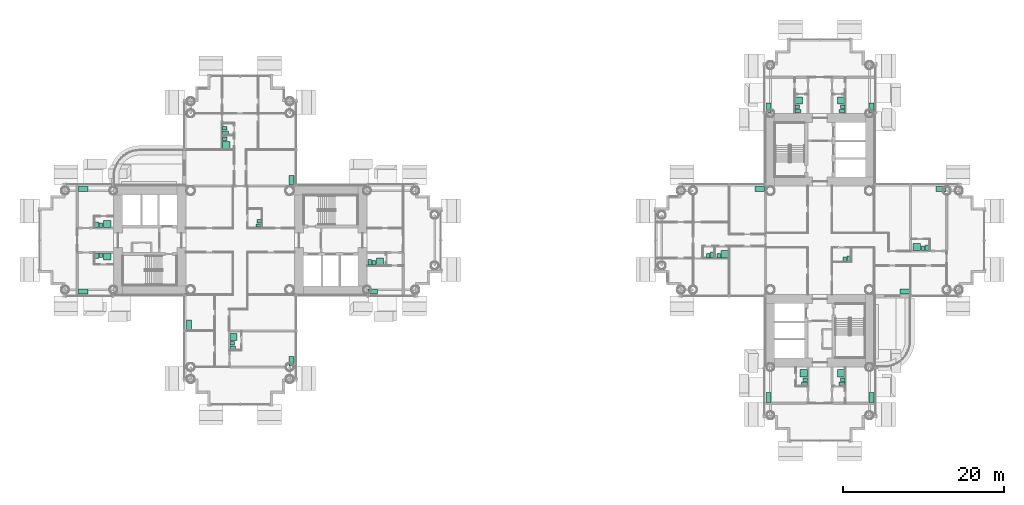
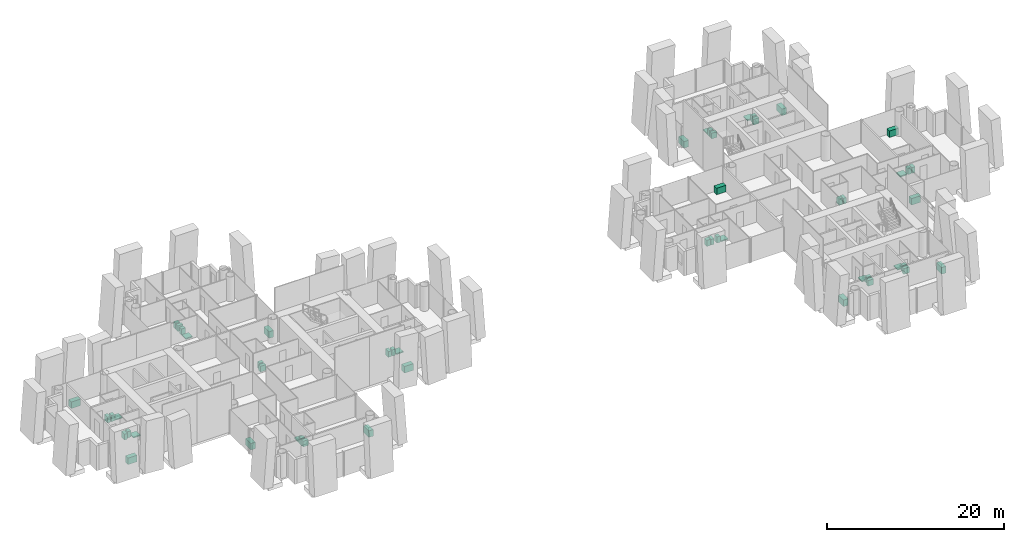
# One storey, part 25 of 25: 52 sanitary terminals.
"""IFC4 building model written with IfcOpenShell, lengths in metres."""

from ifc_helpers import new_model, si_unit, direction, frame, origin, origin_2d, place, context, subcontext, project, spatial, rectangle, extrude, material, type_object, element, save


model = new_model("IFC4")

# Units and contexts
model_context = context("Model", 3, precision=1e-05, world=origin(), true_north=direction((0.0, 1.0)))
body_context = subcontext(model_context, "Body", "Model", "MODEL_VIEW")
ifc_project = project(units=[si_unit("LENGTHUNIT", "METRE"), si_unit("AREAUNIT", "SQUARE_METRE"), si_unit("VOLUMEUNIT", "CUBIC_METRE"), si_unit("PLANEANGLEUNIT", "RADIAN"), si_unit("MASSUNIT", "GRAM", prefix="KILO")], contexts=[model_context])

# Site, building, storey
site_placement = place(None, origin())
site = spatial("IfcSite", under=ifc_project, at=site_placement, CompositionType="ELEMENT")
building_placement = place(site_placement, origin())
building = spatial("IfcBuilding", under=site, at=building_placement, Name="Ipe Terrace Towers", CompositionType="ELEMENT")
storey_placement = place(building_placement, frame((0.0, 0.0, 31.300048828125)))
storey = spatial("IfcBuildingStorey", under=building, at=storey_placement, Name="L07", CompositionType="ELEMENT", Elevation=31.300048828125)

# Sanitary terminals
ifc_material_1 = material(Name="Stainless sink unit", Category="metal")
sanitary_terminal_type_1 = type_object("IfcSanitaryTerminalType", Name="Kitchen sink unit", PredefinedType="SINK", material=ifc_material_1)
for number, where, z_axis, x_axis, name in (
    (1, (-29.6201171875, 7.469970703125, 0.0), (0.0, 0.0, 1.0), (0.0, -1.0, 0.0), "Kitchen sink unit"),
    (2, (-29.6201171875, -15.030029296875, 0.0), (0.0, 0.0, 1.0), (0.0, -1.0, 0.0), "Kitchen sink unit"),
    (3, (-42.3798828125, -10.530029296875, 0.0), (0.0, 0.0, 1.0), (0.0, 1.0, 0.0), "Kitchen sink unit"),
    (4, (-19.530029296875, -6.3798828125, 0.0), (0.0, 0.0, 1.0), (-1.0, 0.0, 0.0), "Kitchen sink unit"),
    (5, (-55.530029296875, -6.3798828125, 0.0), (0.0, 0.0, 1.0), (-1.0, 0.0, 0.0), "Kitchen sink unit"),
    (6, (-55.530029296875, 6.3798828125, 0.0), (0.0, 0.0, 1.0), (1.0, 0.0, 0.0), "Kitchen sink unit"),
    (7, (28.530029296875, 6.3798828125, 0.0), (0.0, 0.0, 1.0), (1.0, 0.0, 0.0), "Kitchen sink unit"),
    (8, (51.030029296875, 6.3798828125, 0.0), (0.0, 0.0, 1.0), (1.0, 0.0, 0.0), "Kitchen sink unit"),
    (9, (46.530029296875, -6.3798828125, 0.0), (0.0, 0.0, 1.0), (-1.0, 0.0, 0.0), "Kitchen sink unit"),
    (10, (29.6201171875, 16.469970703125, 0.0), (0.0, 0.0, 1.0), (0.0, 1.0, 0.0), "Kitchen sink unit"),
    (11, (42.3798828125, 16.469970703125, 0.0), (0.0, 0.0, 1.0), (0.0, -1.0, 0.0), "Kitchen sink unit"),
    (12, (42.3798828125, -19.530029296875, 0.0), (0.0, 0.0, 1.0), (0.0, -1.0, 0.0), "Kitchen sink unit"),
    (13, (29.6201171875, -19.530029296875, 0.0), (0.0, 0.0, 1.0), (0.0, 1.0, 0.0), "Kitchen sink unit"),
):
    element("IfcSanitaryTerminal", number, at=place(storey_placement, frame(where, z_axis=z_axis, x_axis=x_axis)), inside=storey, type_object=sanitary_terminal_type_1, Name=name, PredefinedType="SINK", context=body_context, shape_type="SweptSolid", body=[
        extrude(rectangle(XDim=1.199951171875, YDim=0.60009765625, at=origin_2d()), origin(), (0.0, 0.0, 1.0), 0.89990234375),
    ])
ifc_material_2 = material(Name="Acrylic", Category="plastic")
sanitary_terminal_type_2 = type_object("IfcSanitaryTerminalType", Name="Shower tray", PredefinedType="SHOWER", material=ifc_material_2)
for number, where, z_axis, x_axis, name in (
    (14, (-37.72998046875, 11.820068359375, 0.0), (0.0, 0.0, 1.0), (1.0, 0.0, 0.0), "Shower tray"),
    (15, (-36.830078125, -12.030029296875, 0.0), (0.0, 0.0, 1.0), (1.0, 0.0, 0.0), "Shower tray"),
    (16, (-18.6298828125, -2.6298828125, 0.0), (0.0, 0.0, 1.0), (0.0, 1.0, 0.0), "Shower tray"),
    (17, (-52.530029296875, -2.02001953125, 0.0), (0.0, 0.0, 1.0), (0.0, -1.0, 0.0), "Shower tray"),
    (18, (-52.530029296875, 2.02001953125, 0.0), (0.0, 0.0, 1.0), (0.0, 1.0, 0.0), "Shower tray"),
    (19, (24.179931640625, -1.72998046875, 0.0), (0.0, 0.0, 1.0), (0.0, 1.0, 0.0), "Shower tray"),
    (20, (48.030029296875, -0.830078125, 0.0), (0.0, 0.0, 1.0), (0.0, 1.0, 0.0), "Shower tray"),
    (21, (33.3701171875, 17.3701171875, 0.0), (0.0, 0.0, 1.0), (1.0, 0.0, 0.0), "Shower tray"),
    (22, (38.6298828125, 17.3701171875, 0.0), (0.0, 0.0, 1.0), (-1.0, 0.0, 0.0), "Shower tray"),
    (23, (38.6298828125, -16.530029296875, 0.0), (0.0, 0.0, 1.0), (-1.0, 0.0, 0.0), "Shower tray"),
    (24, (33.97998046875, -16.530029296875, 0.0), (0.0, 0.0, 1.0), (-1.0, 0.0, 0.0), "Shower tray"),
):
    element("IfcSanitaryTerminal", number, at=place(storey_placement, frame(where, z_axis=z_axis, x_axis=x_axis)), inside=storey, type_object=sanitary_terminal_type_2, Name=name, PredefinedType="SHOWER", context=body_context, shape_type="SweptSolid", body=[
        extrude(rectangle(XDim=0.89990234375, YDim=0.89990234375, at=origin_2d()), origin(), (0.0, 0.0, 1.0), 0.14990234375),
    ])
ifc_material_3 = material(Name="Vitreous china", Category="ceramic")
sanitary_terminal_type_3 = type_object("IfcSanitaryTerminalType", Name="Wash basin", PredefinedType="WASHHANDBASIN", material=ifc_material_3)
for number, where, z_axis, x_axis, name in (
    (25, (-33.64501953125, 2.344970703125, 0.0), (0.0, 0.0, 1.0), (-1.0, 0.0, 0.0), "Wash basin"),
    (26, (-37.905029296875, 12.594970703125, 0.0), (0.0, 0.0, 1.0), (1.0, 0.0, 0.0), "Wash basin"),
    (27, (-37.905029296875, 13.89501953125, 0.0), (0.0, 0.0, 1.0), (1.0, 0.0, 0.0), "Wash basin"),
    (28, (-37.0048828125, -12.804931640625, 0.0), (0.0, 0.0, 1.0), (1.0, 0.0, 0.0), "Wash basin"),
    (29, (-19.405029296875, -2.804931640625, 0.0), (0.0, 0.0, 1.0), (0.0, 1.0, 0.0), "Wash basin"),
    (30, (-53.304931640625, -1.844970703125, 0.0), (0.0, 0.0, 1.0), (0.0, -1.0, 0.0), "Wash basin"),
    (31, (-53.304931640625, 1.844970703125, 0.0), (0.0, 0.0, 1.0), (0.0, 1.0, 0.0), "Wash basin"),
    (32, (39.054931640625, -2.35498046875, 0.0), (0.0, 0.0, 1.0), (0.0, 1.0, 0.0), "Wash basin"),
    (33, (23.405029296875, -1.905029296875, 0.0), (0.0, 0.0, 1.0), (0.0, 1.0, 0.0), "Wash basin"),
    (34, (22.10498046875, -1.905029296875, 0.0), (0.0, 0.0, 1.0), (0.0, 1.0, 0.0), "Wash basin"),
    (35, (48.804931640625, -1.0048828125, 0.0), (0.0, 0.0, 1.0), (0.0, 1.0, 0.0), "Wash basin"),
    (36, (33.195068359375, 16.594970703125, 0.0), (0.0, 0.0, 1.0), (1.0, 0.0, 0.0), "Wash basin"),
    (37, (38.804931640625, 16.594970703125, 0.0), (0.0, 0.0, 1.0), (-1.0, 0.0, 0.0), "Wash basin"),
    (38, (38.804931640625, -17.304931640625, 0.0), (0.0, 0.0, 1.0), (-1.0, 0.0, 0.0), "Wash basin"),
    (39, (34.155029296875, -17.304931640625, 0.0), (0.0, 0.0, 1.0), (-1.0, 0.0, 0.0), "Wash basin"),
):
    element("IfcSanitaryTerminal", number, at=place(storey_placement, frame(where, z_axis=z_axis, x_axis=x_axis)), inside=storey, type_object=sanitary_terminal_type_3, Name=name, PredefinedType="WASHHANDBASIN", context=body_context, shape_type="SweptSolid", body=[
        extrude(rectangle(XDim=0.550048828125, YDim=0.449951171875, at=origin_2d()), origin(), (0.0, 0.0, 1.0), 0.85009765625),
    ])
ifc_material_4 = material(Name="Vitreous china", Category="ceramic")
sanitary_terminal_type_4 = type_object("IfcSanitaryTerminalType", Name="Water closet", PredefinedType="TOILETPAN", material=ifc_material_4)
for number, where, z_axis, x_axis, name in (
    (40, (-33.719970703125, 1.820068359375, 0.0), (0.0, 0.0, 1.0), (-1.0, 0.0, 0.0), "Water closet"),
    (41, (-37.830078125, 13.3701171875, 0.0), (0.0, 0.0, 1.0), (1.0, 0.0, 0.0), "Water closet"),
    (42, (-36.929931640625, -13.330078125, 0.0), (0.0, 0.0, 1.0), (1.0, 0.0, 0.0), "Water closet"),
    (43, (-19.929931640625, -2.72998046875, 0.0), (0.0, 0.0, 1.0), (0.0, 1.0, 0.0), "Water closet"),
    (44, (-53.830078125, -1.919921875, 0.0), (0.0, 0.0, 1.0), (0.0, -1.0, 0.0), "Water closet"),
    (45, (-53.830078125, 1.919921875, 0.0), (0.0, 0.0, 1.0), (0.0, 1.0, 0.0), "Water closet"),
    (46, (39.580078125, -2.280029296875, 0.0), (0.0, 0.0, 1.0), (0.0, 1.0, 0.0), "Water closet"),
    (47, (22.6298828125, -1.830078125, 0.0), (0.0, 0.0, 1.0), (0.0, 1.0, 0.0), "Water closet"),
    (48, (49.330078125, -0.929931640625, 0.0), (0.0, 0.0, 1.0), (0.0, 1.0, 0.0), "Water closet"),
    (49, (33.27001953125, 16.070068359375, 0.0), (0.0, 0.0, 1.0), (1.0, 0.0, 0.0), "Water closet"),
    (50, (38.72998046875, 16.070068359375, 0.0), (0.0, 0.0, 1.0), (-1.0, 0.0, 0.0), "Water closet"),
    (51, (38.72998046875, -17.830078125, 0.0), (0.0, 0.0, 1.0), (-1.0, 0.0, 0.0), "Water closet"),
    (52, (34.080078125, -17.830078125, 0.0), (0.0, 0.0, 1.0), (-1.0, 0.0, 0.0), "Water closet"),
):
    element("IfcSanitaryTerminal", number, at=place(storey_placement, frame(where, z_axis=z_axis, x_axis=x_axis)), inside=storey, type_object=sanitary_terminal_type_4, Name=name, PredefinedType="TOILETPAN", context=body_context, shape_type="SweptSolid", body=[
        extrude(rectangle(XDim=0.699951171875, YDim=0.39990234375, at=origin_2d()), origin(), (0.0, 0.0, 1.0), 0.780029296875),
    ])

save(model, "model.ifc")
